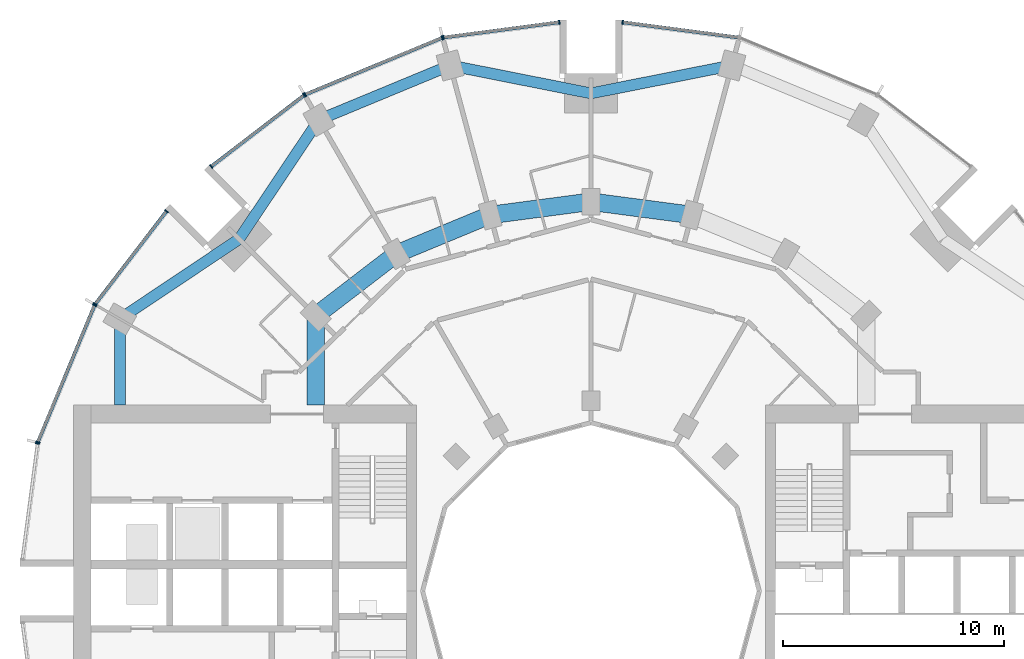
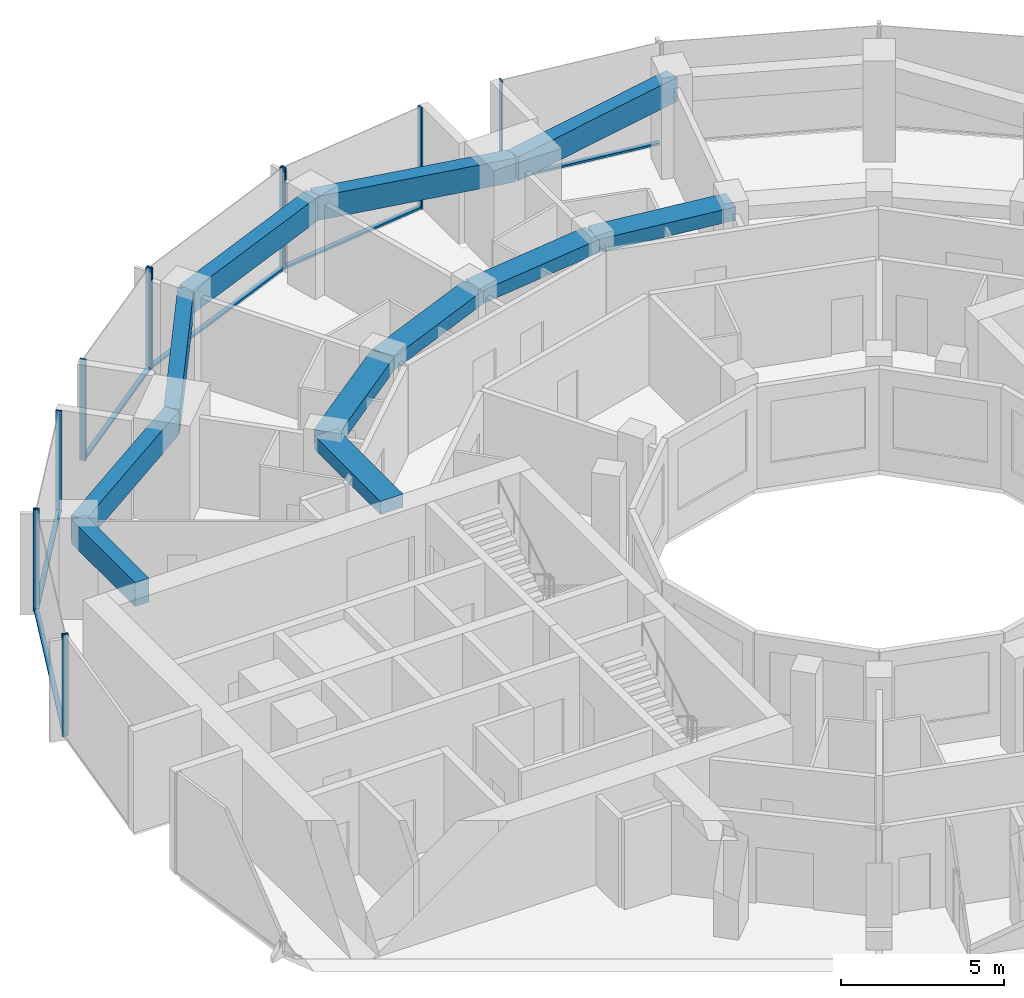
# One storey, part 5 of 15: 18 members, 11 beams, 7 elements without a shape of their own.
"""IFC4 building model written with IfcOpenShell, lengths in metres."""

import ifcopenshell
import ifcopenshell.guid

model = None  # the IFC model being written
_history = None  # IfcOwnerHistory: only IFC2X3 demands one
_inside = {}  # id of a spatial element -> (the spatial element, [elements in it])
_under = {}  # id of a project, library or spatial element -> (it, [spatial elements below it])
_declared = {}  # id of a project -> (the project, [libraries it declares])
_typed = {}  # id of a type object -> (the type object, [elements of that type])
_made_of = {}  # id of a material, layer set ... -> (it, [elements and type objects made of it])


def new_model(schema):
    """Start an empty IFC model of exactly this schema.

    Asked for "IFC4X3", IfcOpenShell would pick the latest addendum, in which some entities
    have other attributes; the version numbers below select the first issue.
    IFC2X3 requires an IfcOwnerHistory on every rooted entity: one is made here for all.
    """
    global model, _history
    if schema == "IFC4X3":
        model = ifcopenshell.file(schema_version=(4, 3, 0, 0))
    else:
        model = ifcopenshell.file(schema=schema)
    _inside.clear()
    _under.clear()
    _declared.clear()
    _typed.clear()
    _made_of.clear()
    _history = None
    if model.schema == "IFC2X3":
        org = make("IfcOrganization", Name="unknown")
        user = make(
            "IfcPersonAndOrganization",
            ThePerson=make("IfcPerson", FamilyName="unknown"),
            TheOrganization=org,
        )
        app = make(
            "IfcApplication",
            ApplicationDeveloper=org,
            Version="unknown",
            ApplicationFullName="unknown",
            ApplicationIdentifier="unknown",
        )
        _history = make(
            "IfcOwnerHistory",
            OwningUser=user,
            OwningApplication=app,
            ChangeAction="ADDED",
            CreationDate=0,
        )
    return model


def make(cls, **values):
    """One entity of the class cls with the attributes given. An attribute that is None is left unset."""
    return model.create_entity(
        cls, **{name: value for name, value in values.items() if value is not None}
    )


def rooted(cls, **values):
    """An entity with a GlobalId (a new one), such as an element, a storey or a relation."""
    return make(cls, GlobalId=ifcopenshell.guid.new(), OwnerHistory=_history, **values)


def si_unit(unit_type, name, prefix=None):
    """IfcSIUnit, for example si_unit("LENGTHUNIT", "METRE", prefix="MILLI")."""
    return make("IfcSIUnit", UnitType=unit_type, Prefix=prefix, Name=name)


def assignment(units):
    """IfcUnitAssignment: the units of a project."""
    return None if units is None else make("IfcUnitAssignment", Units=units)


def point(xyz):
    """IfcCartesianPoint."""
    return None if xyz is None else make("IfcCartesianPoint", Coordinates=xyz)


def direction(xyz):
    """IfcDirection."""
    return None if xyz is None else make("IfcDirection", DirectionRatios=xyz)


def frame(location, z_axis=None, x_axis=None):
    """IfcAxis2Placement3D, a coordinate frame: its origin and axes. An axis left out is left unset."""
    return make(
        "IfcAxis2Placement3D",
        Location=point(location),
        Axis=direction(z_axis),
        RefDirection=direction(x_axis),
    )


def frame_2d(location, x_axis=None):
    """IfcAxis2Placement2D, a coordinate frame in the plane: its origin and x axis."""
    return make(
        "IfcAxis2Placement2D", Location=point(location), RefDirection=direction(x_axis)
    )


def origin():
    """The frame at (0, 0, 0) with its axes left unset."""
    return frame((0.0, 0.0, 0.0))


def origin_2d():
    """The frame at (0, 0) in the plane with its x axis left unset."""
    return frame_2d((0.0, 0.0))


def place(relative_to, where):
    """IfcLocalPlacement: puts the frame where relative to a parent placement (None: the world)."""
    return make(
        "IfcLocalPlacement", PlacementRelTo=relative_to, RelativePlacement=where
    )


def context(
    kind, dimensions, precision=None, world=None, true_north=None, identifier=None
):
    """IfcGeometricRepresentationContext, for example the 3D "Model" context."""
    return make(
        "IfcGeometricRepresentationContext",
        ContextIdentifier=identifier,
        ContextType=kind,
        CoordinateSpaceDimension=dimensions,
        Precision=precision,
        WorldCoordinateSystem=world,
        TrueNorth=true_north,
    )


def subcontext(parent, identifier, kind, view, scale=None):
    """IfcGeometricRepresentationSubContext, for example "Body" below "Model"."""
    return make(
        "IfcGeometricRepresentationSubContext",
        ContextIdentifier=identifier,
        ContextType=kind,
        ParentContext=parent,
        TargetScale=scale,
        TargetView=view,
    )


def project(units=None, contexts=None):
    """IfcProject with its units and contexts."""
    return rooted(
        "IfcProject",
        Name="project",
        RepresentationContexts=contexts,
        UnitsInContext=assignment(units),
    )


def spatial(cls, under=None, at=None, **own):
    """A site, building, storey or space (cls), placed at a placement, below another one or the project."""
    s = rooted(cls, ObjectPlacement=at, **own)
    if under is not None:
        _under.setdefault(under.id(), (under, []))[1].append(s)
    return s


def profile(cls, at=None, kind="AREA", **sizes):
    """A parametric profile (cls). Its sizes go by their IFC names, for example OverallWidth=200.0."""
    return make(cls, ProfileType=kind, Position=at, **sizes)


def rectangle(**sizes):
    """IfcRectangleProfileDef."""
    return profile("IfcRectangleProfileDef", **sizes)


def extrude(swept, where, along, depth):
    """IfcExtrudedAreaSolid: the profile swept, set in the frame where, extruded along a direction by depth."""
    return make(
        "IfcExtrudedAreaSolid",
        SweptArea=swept,
        Position=where,
        ExtrudedDirection=direction(along),
        Depth=depth,
    )


def shape(context_of_items, identifier, shape_type, items):
    """IfcShapeRepresentation: the items that make up one representation, for example the "Body"."""
    return make(
        "IfcShapeRepresentation",
        ContextOfItems=context_of_items,
        RepresentationIdentifier=identifier,
        RepresentationType=shape_type,
        Items=items,
    )


def material(Name=None, Category=None):
    """IfcMaterial."""
    return make("IfcMaterial", Name=Name, Category=Category)


def layer(
    of_material, thickness, ventilated=None, Name=None, Category=None, Priority=None
):
    """IfcMaterialLayer: one layer of a wall or slab, of a material (None: an air gap)."""
    return make(
        "IfcMaterialLayer",
        Material=of_material,
        LayerThickness=thickness,
        IsVentilated=ventilated,
        Name=Name,
        Category=Category,
        Priority=Priority,
    )


def layer_set(layers, Name=None):
    """IfcMaterialLayerSet."""
    return make("IfcMaterialLayerSet", MaterialLayers=layers, LayerSetName=Name)


def material_profile(
    of_material, cross_section, Name=None, Category=None, Priority=None
):
    """IfcMaterialProfile: a cross section and its material."""
    return make(
        "IfcMaterialProfile",
        Name=Name,
        Material=of_material,
        Profile=cross_section,
        Priority=Priority,
        Category=Category,
    )


def profile_set(profiles, Name=None, composite=None):
    """IfcMaterialProfileSet."""
    return make(
        "IfcMaterialProfileSet",
        Name=Name,
        MaterialProfiles=profiles,
        CompositeProfile=composite,
    )


def made_of(thing, what):
    """Note that an element or type object is made of a material, layer set ...; save() writes the relation."""
    if what is not None:
        _made_of.setdefault(what.id(), (what, []))[1].append(thing)
    return thing


def type_object(cls, material=None, **own):
    """A type object (cls), such as IfcWallType, which elements share."""
    return made_of(rooted(cls, **own), material)


def element(
    cls,
    number,
    at=None,
    inside=None,
    cuts=None,
    type_object=None,
    material=None,
    context=None,
    identifier="Body",
    shape_type=None,
    held_by="IfcProductDefinitionShape",
    body=None,
    shapes=None,
    **own,
):
    """One element of the class cls, such as IfcWall. Its Tag is "e" and its number.

    at: its placement. inside: the storey or other place that contains it. cuts: it is an
    opening in that element (IfcRelVoidsElement). A single representation is given by context,
    identifier, shape_type and body (its items); several are given by shapes. held_by: the class
    of the entity that holds the representations. save() writes the other relations.
    """
    e = rooted(cls, Tag="e%d" % number, ObjectPlacement=at, **own)
    if body is not None:
        shapes = [shape(context, identifier, shape_type, body)]
    if shapes is not None:
        e.Representation = make(held_by, Representations=shapes)
    if inside is not None:
        _inside.setdefault(inside.id(), (inside, []))[1].append(e)
    if cuts is not None:
        rooted(
            "IfcRelVoidsElement", RelatingBuildingElement=cuts, RelatedOpeningElement=e
        )
    if type_object is not None:
        _typed.setdefault(type_object.id(), (type_object, []))[1].append(e)
    return made_of(e, material)


def aggregate(whole, parts):
    """IfcRelAggregates: a whole, such as a stair, and the parts it consists of."""
    return rooted("IfcRelAggregates", RelatingObject=whole, RelatedObjects=parts)


def save(model, path):
    """Write the relations noted so far, then the file.

    IfcRelAggregates (storeys below a building ...), IfcRelContainedInSpatialStructure (elements
    in a storey), IfcRelDefinesByType, IfcRelAssociatesMaterial and IfcRelDeclares: one each for
    every whole, place, type object, material and project.
    """
    for whole, parts in _under.values():
        aggregate(whole, parts)
    for where, things in _inside.values():
        rooted(
            "IfcRelContainedInSpatialStructure",
            RelatedElements=things,
            RelatingStructure=where,
        )
    for kind, things in _typed.values():
        rooted("IfcRelDefinesByType", RelatedObjects=things, RelatingType=kind)
    for what, things in _made_of.values():
        rooted("IfcRelAssociatesMaterial", RelatedObjects=things, RelatingMaterial=what)
    for by, libraries in _declared.values():
        rooted("IfcRelDeclares", RelatingContext=by, RelatedDefinitions=libraries)
    model.write(path)


model = new_model("IFC4")

# Units and contexts
model_context = context("Model", 3, precision=1e-05, world=origin(), true_north=direction((0.0, 1.0)))
body_context = subcontext(model_context, "Body", "Model", "MODEL_VIEW")
ifc_project = project(units=[si_unit("LENGTHUNIT", "METRE"), si_unit("AREAUNIT", "SQUARE_METRE"), si_unit("VOLUMEUNIT", "CUBIC_METRE"), si_unit("PLANEANGLEUNIT", "RADIAN"), si_unit("MASSUNIT", "GRAM", prefix="KILO")], contexts=[model_context])

# Site, building, storey
site_placement = place(None, origin())
site = spatial("IfcSite", under=ifc_project, at=site_placement, CompositionType="ELEMENT")
building_placement = place(site_placement, origin())
building = spatial("IfcBuilding", under=site, at=building_placement, Name="Torre Brocal", CompositionType="ELEMENT")
storey_placement = place(building_placement, frame((0.0, 0.0, 66.800048828125)))
storey = spatial("IfcBuildingStorey", under=building, at=storey_placement, Name="L15", CompositionType="ELEMENT", Elevation=66.800048828125)

# Curtain wall, member
ifc_material_1 = material(Name="Aluminium and glass", Category="aluminium")
ifc_layer_1 = layer(ifc_material_1, 0.199951171875)
ifc_layer_set_1 = layer_set([ifc_layer_1], Name="Aluminium and glass")
curtain_wall_type_1 = type_object("IfcCurtainWallType", Name="CW-1 CURTAIN WALL 3800 HIGH", PredefinedType="NOTDEFINED", material=ifc_layer_set_1)
curtain_wall_1_placement = place(storey_placement, origin())
curtain_wall_1 = element("IfcCurtainWall", 1, at=curtain_wall_1_placement, inside=storey, type_object=curtain_wall_type_1, Name="CW-1 RUN 6", PredefinedType="NOTDEFINED")
ifc_material_2 = material(Name="Aluminium, dark anodised", Category="aluminium")
ifc_material_profile_1 = material_profile(ifc_material_2, rectangle(XDim=0.199951171875, YDim=0.06005859375, at=origin_2d()), Name="CW-1 MULLION 60X200")
ifc_profile_set_1 = profile_set([ifc_material_profile_1], Name="Aluminium, dark anodised")
member_type_1 = type_object("IfcMemberType", Name="CW-1 MULLION 60X200", PredefinedType="MULLION", material=ifc_profile_set_1)
member_1_placement = place(storey_placement, frame((81.4296875, 100.7109375, 0.0), z_axis=(0.0, 0.0, 1.0), x_axis=(-0.13052619222, -0.991444861374, 0.0)))
member_1 = element("IfcMember", 2, at=member_1_placement, type_object=member_type_1, Name="CW1-1 mullion 2", PredefinedType="MULLION", context=body_context, shape_type="SweptSolid", body=[
    extrude(rectangle(XDim=0.199951171875, YDim=0.06005859375, at=origin_2d()), origin(), (0.0, 0.0, 1.0), 3.800048828125),
])

# Curtain wall, members
curtain_wall_2_placement = place(storey_placement, origin())
curtain_wall_2 = element("IfcCurtainWall", 3, at=curtain_wall_2_placement, inside=storey, type_object=curtain_wall_type_1, Name="CW-1 RUN 7", PredefinedType="NOTDEFINED")
member_2_placement = place(storey_placement, frame((78.5703125, 100.7109375, 0.0), z_axis=(0.0, 0.0, 1.0), x_axis=(0.13052619222, -0.991444861374, 0.0)))
member_2 = element("IfcMember", 4, at=member_2_placement, type_object=member_type_1, Name="CW1-1 mullion 1", PredefinedType="MULLION", context=body_context, shape_type="SweptSolid", body=[
    extrude(rectangle(XDim=0.199951171875, YDim=0.06005859375, at=origin_2d()), origin(), (0.0, 0.0, 1.0), 3.800048828125),
])
member_3_placement = place(storey_placement, frame((73.32666015625, 100.0205078125, 0.0), z_axis=(0.0, 0.0, 1.0), x_axis=(0.13052619222, -0.991444861374, 0.0)))
member_3 = element("IfcMember", 5, at=member_3_placement, type_object=member_type_1, Name="CW1-1 mullion 2", PredefinedType="MULLION", context=body_context, shape_type="SweptSolid", body=[
    extrude(rectangle(XDim=0.199951171875, YDim=0.06005859375, at=origin_2d()), origin(), (0.0, 0.0, 1.0), 3.800048828125),
])

curtain_wall_3_placement = place(storey_placement, origin())
curtain_wall_3 = element("IfcCurtainWall", 6, at=curtain_wall_3_placement, inside=storey, type_object=curtain_wall_type_1, Name="CW-1 RUN 8", PredefinedType="NOTDEFINED")
member_4_placement = place(storey_placement, frame((73.26904296875, 100.005126953125, 0.0), z_axis=(0.0, 0.0, 1.0), x_axis=(0.382683432333, -0.923879532525, 0.0)))
member_4 = element("IfcMember", 7, at=member_4_placement, type_object=member_type_1, Name="CW1-1 mullion 1", PredefinedType="MULLION", context=body_context, shape_type="SweptSolid", body=[
    extrude(rectangle(XDim=0.199951171875, YDim=0.06005859375, at=origin_2d()), origin(), (0.0, 0.0, 1.0), 3.800048828125),
])
member_5_placement = place(storey_placement, frame((67.078125, 97.440673828125, 0.0), z_axis=(0.0, 0.0, 1.0), x_axis=(0.382683432333, -0.923879532525, 0.0)))
member_5 = element("IfcMember", 8, at=member_5_placement, type_object=member_type_1, Name="CW1-1 mullion 2", PredefinedType="MULLION", context=body_context, shape_type="SweptSolid", body=[
    extrude(rectangle(XDim=0.199951171875, YDim=0.06005859375, at=origin_2d()), origin(), (0.0, 0.0, 1.0), 3.800048828125),
])

curtain_wall_4_placement = place(storey_placement, origin())
curtain_wall_4 = element("IfcCurtainWall", 9, at=curtain_wall_4_placement, inside=storey, type_object=curtain_wall_type_1, Name="CW-1 RUN 9", PredefinedType="NOTDEFINED")
member_6_placement = place(storey_placement, frame((67.026611328125, 97.4111328125, 0.0), z_axis=(0.0, 0.0, 1.0), x_axis=(0.60876142905, -0.793353340259, 0.0)))
member_6 = element("IfcMember", 10, at=member_6_placement, type_object=member_type_1, Name="CW1-1 mullion 1", PredefinedType="MULLION", context=body_context, shape_type="SweptSolid", body=[
    extrude(rectangle(XDim=0.199951171875, YDim=0.06005859375, at=origin_2d()), origin(), (0.0, 0.0, 1.0), 3.800048828125),
])
member_7_placement = place(storey_placement, frame((62.83056640625, 94.19140625, 0.0), z_axis=(0.0, 0.0, 1.0), x_axis=(0.60876142905, -0.793353340259, 0.0)))
member_7 = element("IfcMember", 11, at=member_7_placement, type_object=member_type_1, Name="CW1-1 mullion 2", PredefinedType="MULLION", context=body_context, shape_type="SweptSolid", body=[
    extrude(rectangle(XDim=0.199951171875, YDim=0.06005859375, at=origin_2d()), origin(), (0.0, 0.0, 1.0), 3.800048828125),
])

curtain_wall_5_placement = place(storey_placement, origin())
curtain_wall_5 = element("IfcCurtainWall", 12, at=curtain_wall_5_placement, inside=storey, type_object=curtain_wall_type_1, Name="CW-1 RUN 10", PredefinedType="NOTDEFINED")
member_8_placement = place(storey_placement, frame((60.80859375, 92.16943359375, 0.0), z_axis=(0.0, 0.0, 1.0), x_axis=(0.793353340259, -0.60876142905, 0.0)))
member_8 = element("IfcMember", 13, at=member_8_placement, type_object=member_type_1, Name="CW1-1 mullion 1", PredefinedType="MULLION", context=body_context, shape_type="SweptSolid", body=[
    extrude(rectangle(XDim=0.199951171875, YDim=0.06005859375, at=origin_2d()), origin(), (0.0, 0.0, 1.0), 3.800048828125),
])
member_9_placement = place(storey_placement, frame((57.5888671875, 87.973388671875, 0.0), z_axis=(0.0, 0.0, 1.0), x_axis=(0.793353340259, -0.60876142905, 0.0)))
member_9 = element("IfcMember", 14, at=member_9_placement, type_object=member_type_1, Name="CW1-1 mullion 2", PredefinedType="MULLION", context=body_context, shape_type="SweptSolid", body=[
    extrude(rectangle(XDim=0.199951171875, YDim=0.06005859375, at=origin_2d()), origin(), (0.0, 0.0, 1.0), 3.800048828125),
])

curtain_wall_6_placement = place(storey_placement, origin())
curtain_wall_6 = element("IfcCurtainWall", 15, at=curtain_wall_6_placement, inside=storey, type_object=curtain_wall_type_1, Name="CW-1 RUN 11", PredefinedType="NOTDEFINED")
member_10_placement = place(storey_placement, frame((57.559326171875, 87.921875, 0.0), z_axis=(0.0, 0.0, 1.0), x_axis=(0.923879532525, -0.382683432333, 0.0)))
member_10 = element("IfcMember", 16, at=member_10_placement, type_object=member_type_1, Name="CW1-1 mullion 1", PredefinedType="MULLION", context=body_context, shape_type="SweptSolid", body=[
    extrude(rectangle(XDim=0.199951171875, YDim=0.06005859375, at=origin_2d()), origin(), (0.0, 0.0, 1.0), 3.800048828125),
])
member_11_placement = place(storey_placement, frame((54.994873046875, 81.73095703125, 0.0), z_axis=(0.0, 0.0, 1.0), x_axis=(0.923879532525, -0.382683432333, 0.0)))
member_11 = element("IfcMember", 17, at=member_11_placement, type_object=member_type_1, Name="CW1-1 mullion 2", PredefinedType="MULLION", context=body_context, shape_type="SweptSolid", body=[
    extrude(rectangle(XDim=0.199951171875, YDim=0.06005859375, at=origin_2d()), origin(), (0.0, 0.0, 1.0), 3.800048828125),
])

# Member
ifc_material_3 = material(Name="Aluminium, dark anodised", Category="aluminium")
ifc_material_profile_2 = material_profile(ifc_material_3, rectangle(XDim=0.159912109375, YDim=0.080078125, at=origin_2d()), Name="CW-1 TRANSOM 160X80")
ifc_profile_set_2 = profile_set([ifc_material_profile_2], Name="Aluminium, dark anodised")
member_type_2 = type_object("IfcMemberType", Name="CW-1 TRANSOM 160X80", PredefinedType="USERDEFINED", material=ifc_profile_set_2)
member_12_placement = place(storey_placement, frame((86.643798828125, 100.0244140625, 0.0400390625), z_axis=(-0.991442690863, 0.130542677827, 0.0), x_axis=(-0.130542677827, -0.991442690863, 0.0)))
member_12 = element("IfcMember", 18, at=member_12_placement, type_object=member_type_2, Name="CW1-1 transom 1.1", ObjectType="TRANSOM", PredefinedType="USERDEFINED", context=body_context, shape_type="SweptSolid", body=[
    extrude(rectangle(XDim=0.159912109375, YDim=0.080078125, at=origin_2d()), origin(), (0.0, 0.0, 1.0), 5.22900390625),
])

aggregate(curtain_wall_1, [member_1, member_12])

member_13_placement = place(storey_placement, frame((78.54052734375, 100.70703125, 0.0400390625), z_axis=(-0.991442690863, -0.130542677827, 0.0), x_axis=(0.130542677827, -0.991442690863, 0.0)))
member_13 = element("IfcMember", 19, at=member_13_placement, type_object=member_type_2, Name="CW1-1 transom 1.1", ObjectType="TRANSOM", PredefinedType="USERDEFINED", context=body_context, shape_type="SweptSolid", body=[
    extrude(rectangle(XDim=0.159912109375, YDim=0.080078125, at=origin_2d()), origin(), (0.0, 0.0, 1.0), 5.22900390625),
])

aggregate(curtain_wall_2, [member_2, member_3, member_13])

member_14_placement = place(storey_placement, frame((73.241455078125, 99.99365234375, 0.0400390625), z_axis=(-0.923887344364, -0.38266457234, 0.0), x_axis=(0.38266457234, -0.923887344364, 0.0)))
member_14 = element("IfcMember", 20, at=member_14_placement, type_object=member_type_2, Name="CW1-1 transom 1.1", ObjectType="TRANSOM", PredefinedType="USERDEFINED", context=body_context, shape_type="SweptSolid", body=[
    extrude(rectangle(XDim=0.159912109375, YDim=0.080078125, at=origin_2d()), origin(), (0.0, 0.0, 1.0), 6.640869140625),
])

aggregate(curtain_wall_3, [member_4, member_5, member_14])

member_15_placement = place(storey_placement, frame((67.0029296875, 97.392822265625, 0.0400390625), z_axis=(-0.79336281513, -0.60874908096, 0.0), x_axis=(0.60874908096, -0.79336281513, 0.0)))
member_15 = element("IfcMember", 21, at=member_15_placement, type_object=member_type_2, Name="CW1-1 transom 1.1", ObjectType="TRANSOM", PredefinedType="USERDEFINED", context=body_context, shape_type="SweptSolid", body=[
    extrude(rectangle(XDim=0.159912109375, YDim=0.080078125, at=origin_2d()), origin(), (0.0, 0.0, 1.0), 5.22900390625),
])

aggregate(curtain_wall_4, [member_6, member_7, member_15])

member_16_placement = place(storey_placement, frame((60.790283203125, 92.1455078125, 0.0400390625), z_axis=(-0.60874908096, -0.79336281513, 0.0), x_axis=(0.79336281513, -0.60874908096, 0.0)))
member_16 = element("IfcMember", 22, at=member_16_placement, type_object=member_type_2, Name="CW1-1 transom 1.1", ObjectType="TRANSOM", PredefinedType="USERDEFINED", context=body_context, shape_type="SweptSolid", body=[
    extrude(rectangle(XDim=0.159912109375, YDim=0.080078125, at=origin_2d()), origin(), (0.0, 0.0, 1.0), 5.22900390625),
])

aggregate(curtain_wall_5, [member_8, member_9, member_16])

member_17_placement = place(storey_placement, frame((57.547607421875, 87.89404296875, 0.0400390625), z_axis=(-0.38266457234, -0.923887344364, 0.0), x_axis=(0.923887344364, -0.38266457234, 0.0)))
member_17 = element("IfcMember", 23, at=member_17_placement, type_object=member_type_2, Name="CW1-1 transom 1.1", ObjectType="TRANSOM", PredefinedType="USERDEFINED", context=body_context, shape_type="SweptSolid", body=[
    extrude(rectangle(XDim=0.159912109375, YDim=0.080078125, at=origin_2d()), origin(), (0.0, 0.0, 1.0), 6.640869140625),
])

aggregate(curtain_wall_6, [member_10, member_11, member_17])

# Curtain wall, member
ifc_material_4 = material(Name="Aluminium and glass", Category="aluminium")
ifc_layer_2 = layer(ifc_material_4, 0.199951171875)
ifc_layer_set_2 = layer_set([ifc_layer_2], Name="Aluminium and glass")
curtain_wall_type_2 = type_object("IfcCurtainWallType", Name="CW-1B CURTAIN WALL 3800 HIGH", PredefinedType="NOTDEFINED", material=ifc_layer_set_2)
curtain_wall_7_placement = place(storey_placement, origin())
curtain_wall_7 = element("IfcCurtainWall", 24, at=curtain_wall_7_placement, inside=storey, type_object=curtain_wall_type_2, Name="CW-1B RUN 12", PredefinedType="NOTDEFINED")
ifc_material_5 = material(Name="Aluminium, dark anodised", Category="aluminium")
ifc_material_profile_3 = material_profile(ifc_material_5, rectangle(XDim=0.199951171875, YDim=0.06005859375, at=origin_2d()), Name="CW-1B MULLION 60X200")
ifc_profile_set_3 = profile_set([ifc_material_profile_3], Name="Aluminium, dark anodised")
member_type_3 = type_object("IfcMemberType", Name="CW-1B MULLION 60X200", PredefinedType="MULLION", material=ifc_profile_set_3)
member_18_placement = place(storey_placement, frame((54.9794921875, 81.67333984375, 0.0), z_axis=(0.0, 0.0, 1.0), x_axis=(0.991444861374, -0.13052619222, 0.0)))
member_18 = element("IfcMember", 25, at=member_18_placement, type_object=member_type_3, Name="CW1B-1 mullion 1", PredefinedType="MULLION", context=body_context, shape_type="SweptSolid", body=[
    extrude(rectangle(XDim=0.199951171875, YDim=0.06005859375, at=origin_2d()), origin(), (0.0, 0.0, 1.0), 3.800048828125),
])
aggregate(curtain_wall_7, [member_18])

# Beams
ifc_material_6 = material(Name="Concrete C50", Category="concrete")
ifc_material_profile_4 = material_profile(ifc_material_6, rectangle(XDim=0.800048828125, YDim=0.5, at=origin_2d()), Name="RC 800X500")
ifc_profile_set_4 = profile_set([ifc_material_profile_4], Name="Concrete C50")
beam_type_1 = type_object("IfcBeamType", Name="RC BEAM 800X500 C50 TOP 3480", PredefinedType="BEAM", material=ifc_profile_set_4)
for number, where, z_axis, x_axis, name in (
    (26, (84.55517578125, 92.000244140625, 3.22998046875), (-0.991440544449, 0.130558978332, 0.0), (-0.130558978332, -0.991440544449, 0.0), "Beam BT-19"),
    (27, (80.0, 92.60009765625, 3.22998046875), (-0.991440544449, -0.130558978332, 0.0), (0.130558978332, -0.991440544449, 0.0), "Beam BT-19"),
):
    element("IfcBeam", number, at=place(storey_placement, frame(where, z_axis=z_axis, x_axis=x_axis)), inside=storey, type_object=beam_type_1, Name=name, PredefinedType="BEAM", context=body_context, shape_type="SweptSolid", body=[
        extrude(rectangle(XDim=0.800048828125, YDim=0.5, at=origin_2d()), origin(), (0.0, 0.0, 1.0), 4.594482421875),
    ])
beam_1_placement = place(storey_placement, frame((75.44482421875, 92.000244140625, 3.22998046875), z_axis=(-0.923878240166, -0.382686552348, 0.0), x_axis=(0.382686552348, -0.923878240166, 0.0)))
element("IfcBeam", 28, at=beam_1_placement, inside=storey, type_object=beam_type_1, Name="Beam BT-19", PredefinedType="BEAM", context=body_context, shape_type="SweptSolid", body=[
    extrude(rectangle(XDim=0.800048828125, YDim=0.5, at=origin_2d()), origin(), (0.0, 0.0, 1.0), 4.5947265625),
])
beam_2_placement = place(storey_placement, frame((71.199951171875, 90.241943359375, 3.22998046875), z_axis=(-0.793358265959, -0.6087550097, 0.0), x_axis=(0.6087550097, -0.793358265959, 0.0)))
element("IfcBeam", 29, at=beam_2_placement, inside=storey, type_object=beam_type_1, Name="Beam BT-19", PredefinedType="BEAM", context=body_context, shape_type="SweptSolid", body=[
    extrude(rectangle(XDim=0.800048828125, YDim=0.5, at=origin_2d()), origin(), (0.0, 0.0, 1.0), 4.594482421875),
])
beam_3_placement = place(storey_placement, frame((67.554931640625, 87.445068359375, 3.22998046875), z_axis=(0.0, -1.0, 0.0), x_axis=(1.0, 0.0, 0.0)))
element("IfcBeam", 30, at=beam_3_placement, inside=storey, type_object=beam_type_1, Name="Beam BT-19", PredefinedType="BEAM", context=body_context, shape_type="SweptSolid", body=[
    extrude(rectangle(XDim=0.800048828125, YDim=0.5, at=origin_2d()), origin(), (0.0, 0.0, 1.0), 4.045166015625),
])
ifc_material_7 = material(Name="Concrete C50", Category="concrete")
ifc_material_profile_5 = material_profile(ifc_material_7, rectangle(XDim=0.5, YDim=0.89990234375, at=origin_2d()), Name="RC 500X900")
ifc_profile_set_5 = profile_set([ifc_material_profile_5], Name="Concrete C50")
beam_type_2 = type_object("IfcBeamType", Name="RC SPANDREL BEAM 500X900 C50 TOP 3480", PredefinedType="SPANDREL", material=ifc_profile_set_5)
for number, where, z_axis, x_axis, name in (
    (31, (86.366943359375, 98.76171875, 3.030029296875), (-0.980924907484, -0.194387051723, 0.0), (0.194387051723, -0.980924907484, 0.0), "Beam BT-20"),
    (32, (80.0, 97.5, 3.030029296875), (-0.980924907484, 0.194387051723, 0.0), (-0.194387051723, -0.980924907484, 0.0), "Beam BT-20"),
):
    element("IfcBeam", number, at=place(storey_placement, frame(where, z_axis=z_axis, x_axis=x_axis)), inside=storey, type_object=beam_type_2, Name=name, PredefinedType="SPANDREL", context=body_context, shape_type="SweptSolid", body=[
        extrude(rectangle(XDim=0.5, YDim=0.89990234375, at=origin_2d()), origin(), (0.0, 0.0, 1.0), 6.49072265625),
    ])
beam_4_placement = place(storey_placement, frame((73.633056640625, 98.76171875, 3.030029296875), z_axis=(-0.923882462513, -0.382676358639, 0.0), x_axis=(0.382676358639, -0.923882462513, 0.0)))
element("IfcBeam", 33, at=beam_4_placement, inside=storey, type_object=beam_type_2, Name="Beam BT-20", PredefinedType="SPANDREL", context=body_context, shape_type="SweptSolid", body=[
    extrude(rectangle(XDim=0.5, YDim=0.89990234375, at=origin_2d()), origin(), (0.0, 0.0, 1.0), 6.421875),
])
for number, where, z_axis, x_axis, name in (
    (34, (67.699951171875, 96.30419921875, 3.030029296875), (-0.556157602282, -0.831076844476, 0.0), (0.831076844476, -0.556157602282, 0.0), "Beam BT-20"),
    (35, (64.090087890625, 90.909912109375, 3.030029296875), (-0.831076844476, -0.556157602282, 0.0), (0.556157602282, -0.831076844476, 0.0), "Beam BT-20"),
):
    element("IfcBeam", number, at=place(storey_placement, frame(where, z_axis=z_axis, x_axis=x_axis)), inside=storey, type_object=beam_type_2, Name=name, PredefinedType="SPANDREL", context=body_context, shape_type="SweptSolid", body=[
        extrude(rectangle(XDim=0.5, YDim=0.89990234375, at=origin_2d()), origin(), (0.0, 0.0, 1.0), 6.49072265625),
    ])
beam_5_placement = place(storey_placement, frame((58.69580078125, 87.300048828125, 3.030029296875), z_axis=(0.0, -1.0, 0.0), x_axis=(1.0, 0.0, 0.0)))
element("IfcBeam", 36, at=beam_5_placement, inside=storey, type_object=beam_type_2, Name="Beam BT-20", PredefinedType="SPANDREL", context=body_context, shape_type="SweptSolid", body=[
    extrude(rectangle(XDim=0.5, YDim=0.89990234375, at=origin_2d()), origin(), (0.0, 0.0, 1.0), 3.900146484375),
])

save(model, "model.ifc")
